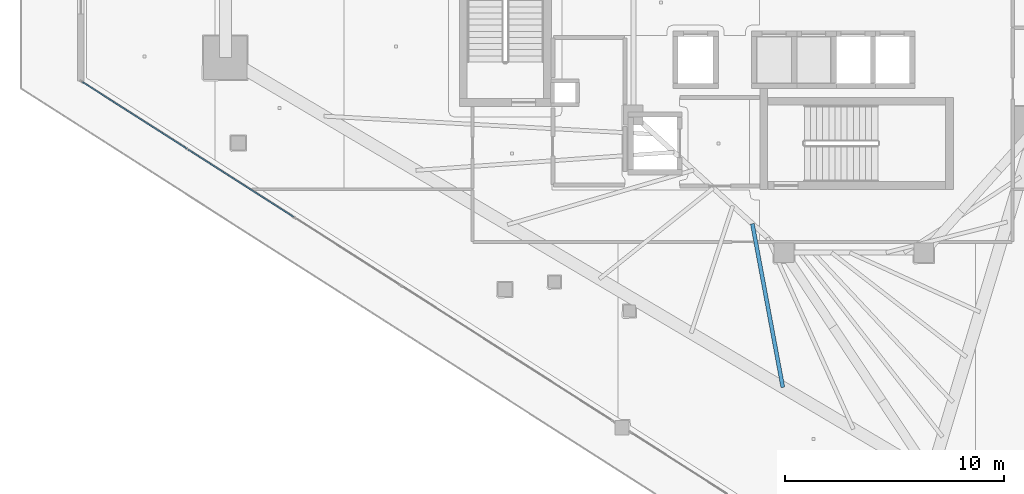
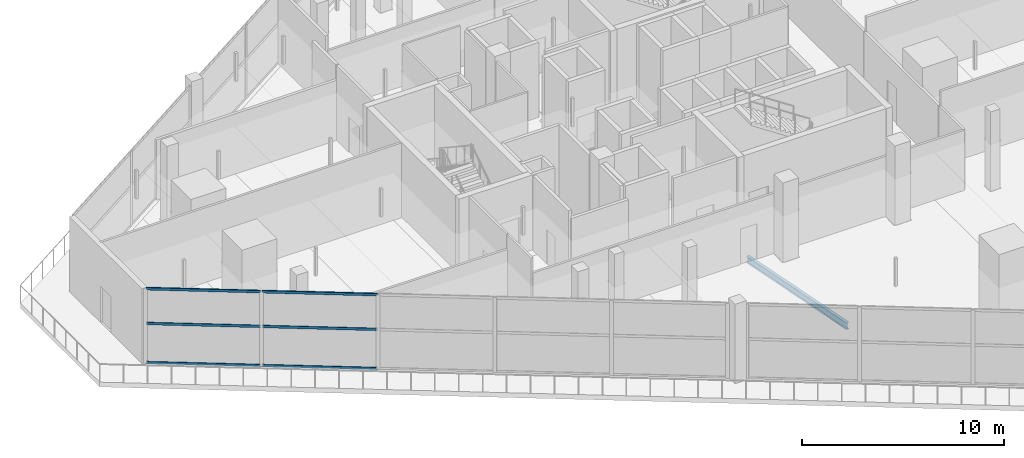
# One storey, part 5 of 36: 6 members, 1 beam, 1 element without a shape of its own.
"""IFC4 building model written with IfcOpenShell, lengths in metres."""

from ifc_helpers import new_model, si_unit, direction, frame, origin, origin_2d, place, context, subcontext, project, spatial, hollow_rectangle, i_section, extrude, material, layer, layer_set, material_profile, profile_set, type_object, element, aggregate, save


model = new_model("IFC4")

# Units and contexts
model_context = context("Model", 3, precision=1e-05, world=origin(), true_north=direction((0.0, 1.0)))
body_context = subcontext(model_context, "Body", "Model", "MODEL_VIEW")
ifc_project = project(units=[si_unit("LENGTHUNIT", "METRE"), si_unit("AREAUNIT", "SQUARE_METRE"), si_unit("VOLUMEUNIT", "CUBIC_METRE"), si_unit("PLANEANGLEUNIT", "RADIAN"), si_unit("MASSUNIT", "GRAM", prefix="KILO")], contexts=[model_context])

# Site, building, storey
site_placement = place(None, origin())
site = spatial("IfcSite", under=ifc_project, at=site_placement, CompositionType="ELEMENT")
building_placement = place(site_placement, origin())
building = spatial("IfcBuilding", under=site, at=building_placement, Name="Qorvath Tower", CompositionType="ELEMENT")
storey_placement = place(building_placement, frame((0.0, 0.0, 180.0)))
storey = spatial("IfcBuildingStorey", under=building, at=storey_placement, Name="L41", CompositionType="ELEMENT", Elevation=180.0)

# Beam
ifc_material_1 = material(Name="Steel ASTM A992 Grade 50", Category="steel")
ifc_material_profile_1 = material_profile(ifc_material_1, i_section(OverallWidth=0.177978515625, OverallDepth=0.406005859375, WebThickness=0.0078125, FlangeThickness=0.0126953125, FilletRadius=0.010986328125, at=origin_2d()), Name="W16x40")
ifc_profile_set_1 = profile_set([ifc_material_profile_1], Name="Steel ASTM A992 Grade 50")
beam_type = type_object("IfcBeamType", Name="BM-FJ3", PredefinedType="JOIST", material=ifc_profile_set_1)
beam_placement = place(storey_placement, frame((-25.049072265625, -10.126953125, -0.5029296875), z_axis=(0.183026775988, -0.983107928598, 0.0), x_axis=(0.983107928598, 0.183026775988, 0.0)))
element("IfcBeam", 1, at=beam_placement, inside=storey, type_object=beam_type, Name="Composite Floor Joist SW6 L41", PredefinedType="JOIST", context=body_context, shape_type="SweptSolid", body=[
    extrude(i_section(OverallWidth=0.177978515625, OverallDepth=0.406005859375, WebThickness=0.0078125, FlangeThickness=0.0126953125, FilletRadius=0.010986328125, at=origin_2d()), origin(), (0.0, 0.0, 1.0), 7.617919921875),
])

# Curtain wall, members
ifc_material_2 = material(Name="Anodised aluminium and triple low-E glass", Category="aluminium")
ifc_layer = layer(ifc_material_2, 0.179931640625)
ifc_layer_set = layer_set([ifc_layer], Name="CW-SYS-5")
curtain_wall_type = type_object("IfcCurtainWallType", Name="CW-SYS-5", PredefinedType="NOTDEFINED", material=ifc_layer_set)
curtain_wall_placement = place(storey_placement, origin())
curtain_wall = element("IfcCurtainWall", 2, at=curtain_wall_placement, inside=storey, type_object=curtain_wall_type, Name="Curtain Wall CW-5 CW-T-L41-2.1", PredefinedType="NOTDEFINED")
ifc_material_3 = material(Name="Anodised aluminium 6063-T6", Category="aluminium")
ifc_material_profile_2 = material_profile(ifc_material_3, hollow_rectangle(XDim=0.06494140625, YDim=0.159912109375, WallThickness=0.00341796875, InnerFilletRadius=0.00341796875, OuterFilletRadius=0.007080078125, at=origin_2d()), Name="CWT 160x65")
ifc_profile_set_2 = profile_set([ifc_material_profile_2], Name="Anodised aluminium 6063-T6")
member_type = type_object("IfcMemberType", Name="CWT-160", PredefinedType="USERDEFINED", material=ifc_profile_set_2)
member_1_placement = place(storey_placement, frame((-55.716552734375, -3.63427734375, 0.032470703125), z_axis=(0.842599241207, -0.538541102162, 0.0), x_axis=(0.538541102162, 0.842599241207, 0.0)))
member_1 = element("IfcMember", 3, at=member_1_placement, type_object=member_type, Name="CW-5 transom 1.1", ObjectType="TRANSOM", PredefinedType="USERDEFINED", context=body_context, shape_type="SweptSolid", body=[
    extrude(hollow_rectangle(XDim=0.06494140625, YDim=0.159912109375, WallThickness=0.00341796875, InnerFilletRadius=0.00341796875, OuterFilletRadius=0.007080078125, at=origin_2d()), origin(), (0.0, 0.0, 1.0), 5.677490234375),
])
member_2_placement = place(storey_placement, frame((-55.716552734375, -3.63427734375, 2.39990234375), z_axis=(0.842599241207, -0.538541102162, 0.0), x_axis=(0.538541102162, 0.842599241207, 0.0)))
member_2 = element("IfcMember", 4, at=member_2_placement, type_object=member_type, Name="CW-5 transom 1.2", ObjectType="TRANSOM", PredefinedType="USERDEFINED", context=body_context, shape_type="SweptSolid", body=[
    extrude(hollow_rectangle(XDim=0.06494140625, YDim=0.159912109375, WallThickness=0.00341796875, InnerFilletRadius=0.00341796875, OuterFilletRadius=0.007080078125, at=origin_2d()), origin(), (0.0, 0.0, 1.0), 5.677490234375),
])
member_3_placement = place(storey_placement, frame((-55.716552734375, -3.63427734375, 4.49755859375), z_axis=(0.842599241207, -0.538541102162, 0.0), x_axis=(0.538541102162, 0.842599241207, 0.0)))
member_3 = element("IfcMember", 5, at=member_3_placement, type_object=member_type, Name="CW-5 transom 1.3", ObjectType="TRANSOM", PredefinedType="USERDEFINED", context=body_context, shape_type="SweptSolid", body=[
    extrude(hollow_rectangle(XDim=0.06494140625, YDim=0.159912109375, WallThickness=0.00341796875, InnerFilletRadius=0.00341796875, OuterFilletRadius=0.007080078125, at=origin_2d()), origin(), (0.0, 0.0, 1.0), 5.677490234375),
])
member_4_placement = place(storey_placement, frame((-50.869384765625, -6.732421875, 0.032470703125), z_axis=(0.842607952816, -0.53852747177, 0.0), x_axis=(0.53852747177, 0.842607952816, 0.0)))
member_4 = element("IfcMember", 6, at=member_4_placement, type_object=member_type, Name="CW-5 transom 2.1", ObjectType="TRANSOM", PredefinedType="USERDEFINED", context=body_context, shape_type="SweptSolid", body=[
    extrude(hollow_rectangle(XDim=0.06494140625, YDim=0.159912109375, WallThickness=0.00341796875, InnerFilletRadius=0.00341796875, OuterFilletRadius=0.007080078125, at=origin_2d()), origin(), (0.0, 0.0, 1.0), 5.71484375),
])
member_5_placement = place(storey_placement, frame((-50.869384765625, -6.732421875, 2.39990234375), z_axis=(0.842607952816, -0.53852747177, 0.0), x_axis=(0.53852747177, 0.842607952816, 0.0)))
member_5 = element("IfcMember", 7, at=member_5_placement, type_object=member_type, Name="CW-5 transom 2.2", ObjectType="TRANSOM", PredefinedType="USERDEFINED", context=body_context, shape_type="SweptSolid", body=[
    extrude(hollow_rectangle(XDim=0.06494140625, YDim=0.159912109375, WallThickness=0.00341796875, InnerFilletRadius=0.00341796875, OuterFilletRadius=0.007080078125, at=origin_2d()), origin(), (0.0, 0.0, 1.0), 5.71484375),
])
member_6_placement = place(storey_placement, frame((-50.869384765625, -6.732421875, 4.49755859375), z_axis=(0.842607952816, -0.53852747177, 0.0), x_axis=(0.53852747177, 0.842607952816, 0.0)))
member_6 = element("IfcMember", 8, at=member_6_placement, type_object=member_type, Name="CW-5 transom 2.3", ObjectType="TRANSOM", PredefinedType="USERDEFINED", context=body_context, shape_type="SweptSolid", body=[
    extrude(hollow_rectangle(XDim=0.06494140625, YDim=0.159912109375, WallThickness=0.00341796875, InnerFilletRadius=0.00341796875, OuterFilletRadius=0.007080078125, at=origin_2d()), origin(), (0.0, 0.0, 1.0), 5.71484375),
])
aggregate(curtain_wall, [member_1, member_2, member_3, member_4, member_5, member_6])

save(model, "model.ifc")
